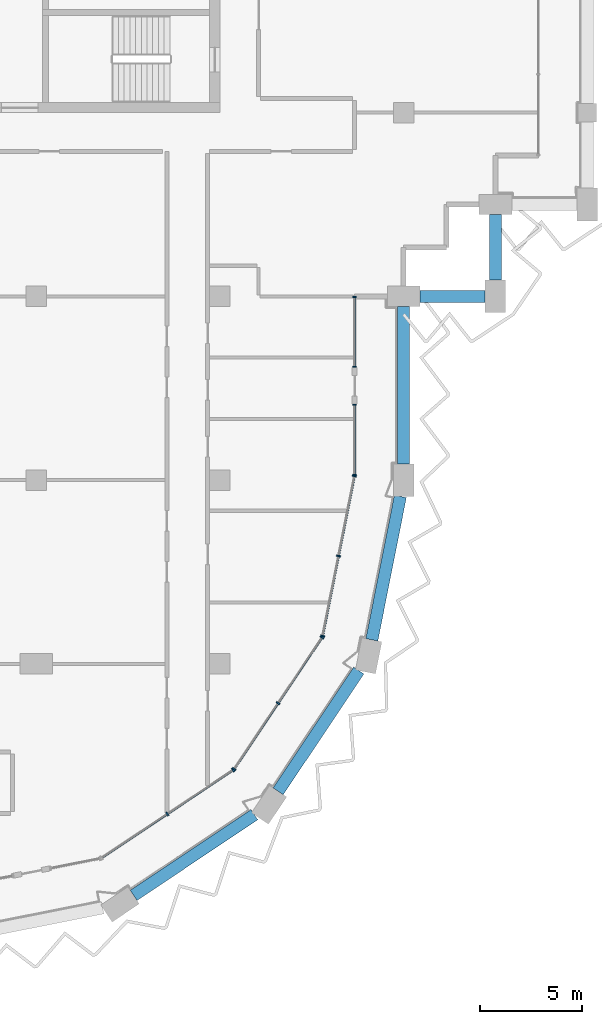
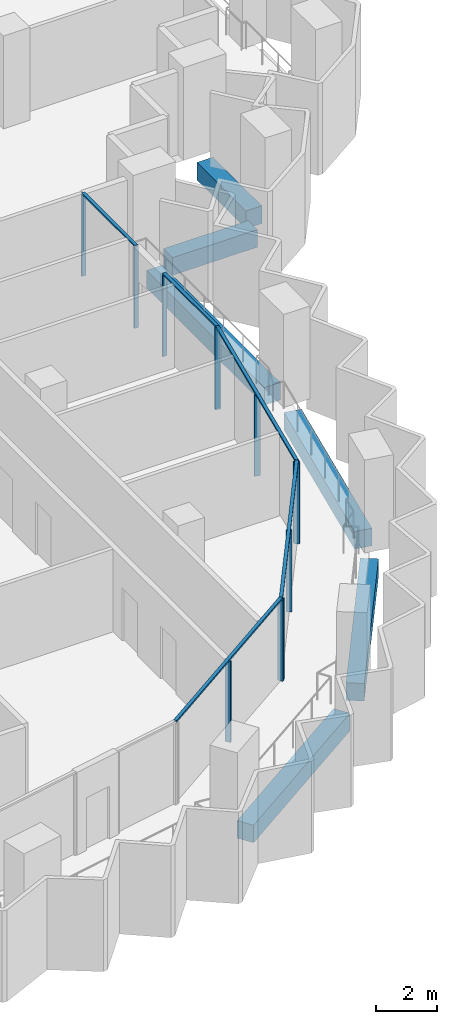
# One storey, part 3 of 16: 17 members, 6 beams, 5 elements without a shape of their own.
"""IFC4 building model written with IfcOpenShell, lengths in metres."""

from ifc_helpers import new_model, si_unit, direction, frame, origin, origin_2d, place, context, subcontext, project, spatial, rectangle, extrude, material, material_profile, profile_set, type_object, element, aggregate, save


model = new_model("IFC4")

# Units and contexts
model_context = context("Model", 3, precision=1e-05, world=origin(), true_north=direction((0.0, 1.0)))
body_context = subcontext(model_context, "Body", "Model", "MODEL_VIEW")
ifc_project = project(units=[si_unit("LENGTHUNIT", "METRE"), si_unit("AREAUNIT", "SQUARE_METRE"), si_unit("VOLUMEUNIT", "CUBIC_METRE"), si_unit("PLANEANGLEUNIT", "RADIAN"), si_unit("MASSUNIT", "GRAM", prefix="KILO")], contexts=[model_context])

# Site, building, storey
site_placement = place(None, origin())
site = spatial("IfcSite", under=ifc_project, at=site_placement, CompositionType="ELEMENT")
building_placement = place(site_placement, origin())
building = spatial("IfcBuilding", under=site, at=building_placement, Name="Hunhe Ridgeline Campus", CompositionType="ELEMENT")
storey_placement = place(building_placement, frame((0.0, 0.0, 257.699951171875)))
storey = spatial("IfcBuildingStorey", under=building, at=storey_placement, Name="L66", CompositionType="ELEMENT", Elevation=257.699951171875)

# Curtain wall, members
ifc_material_1 = material(Name="Aluminium 6063", Category="aluminium")
curtain_wall_type_1 = type_object("IfcCurtainWallType", Name="Curtain wall CW-1", PredefinedType="NOTDEFINED", material=ifc_material_1)
curtain_wall_1_placement = place(storey_placement, origin())
curtain_wall_1 = element("IfcCurtainWall", 1, at=curtain_wall_1_placement, inside=storey, type_object=curtain_wall_type_1, Name="Curtain wall 11", PredefinedType="NOTDEFINED")
ifc_material_profile_1 = material_profile(ifc_material_1, rectangle(XDim=0.159912109375, YDim=0.06005859375, at=origin_2d()))
ifc_profile_set_1 = profile_set([ifc_material_profile_1], Name="Aluminium 6063")
member_type_1 = type_object("IfcMemberType", Name="CW-1 aluminium mullion", PredefinedType="MULLION", material=ifc_profile_set_1)
member_1_placement = place(storey_placement, frame((42.59912109375, 45.266357421875, 0.0), z_axis=(0.0, 0.0, 1.0), x_axis=(-0.999999999815, 1.9241592e-05, 0.0)))
member_1 = element("IfcMember", 2, at=member_1_placement, type_object=member_type_1, Name="CW-1 mullion 1", PredefinedType="MULLION", context=body_context, shape_type="SweptSolid", body=[
    extrude(rectangle(XDim=0.159912109375, YDim=0.06005859375, at=origin_2d()), origin(), (0.0, 0.0, 1.0), 3.239990234375),
])
member_2_placement = place(storey_placement, frame((42.59912109375, 48.6884765625, 0.0), z_axis=(0.0, 0.0, 1.0), x_axis=(-0.999999999815, 1.9241592e-05, 0.0)))
member_2 = element("IfcMember", 3, at=member_2_placement, type_object=member_type_1, Name="CW-1 mullion 2", PredefinedType="MULLION", context=body_context, shape_type="SweptSolid", body=[
    extrude(rectangle(XDim=0.159912109375, YDim=0.06005859375, at=origin_2d()), origin(), (0.0, 0.0, 1.0), 3.239990234375),
])

curtain_wall_2_placement = place(storey_placement, origin())
curtain_wall_2 = element("IfcCurtainWall", 4, at=curtain_wall_2_placement, inside=storey, type_object=curtain_wall_type_1, Name="Curtain wall 12", PredefinedType="NOTDEFINED")
member_3_placement = place(storey_placement, frame((42.59912109375, 50.548583984375, 0.0), z_axis=(0.0, 0.0, 1.0), x_axis=(-0.999999999815, 1.9241592e-05, 0.0)))
member_3 = element("IfcMember", 5, at=member_3_placement, type_object=member_type_1, Name="CW-1 mullion 1", PredefinedType="MULLION", context=body_context, shape_type="SweptSolid", body=[
    extrude(rectangle(XDim=0.159912109375, YDim=0.06005859375, at=origin_2d()), origin(), (0.0, 0.0, 1.0), 3.239990234375),
])
member_4_placement = place(storey_placement, frame((42.59912109375, 53.970458984375, 0.0), z_axis=(0.0, 0.0, 1.0), x_axis=(-0.999999999815, 1.9241592e-05, 0.0)))
member_4 = element("IfcMember", 6, at=member_4_placement, type_object=member_type_1, Name="CW-1 mullion 2", PredefinedType="MULLION", context=body_context, shape_type="SweptSolid", body=[
    extrude(rectangle(XDim=0.159912109375, YDim=0.06005859375, at=origin_2d()), origin(), (0.0, 0.0, 1.0), 3.239990234375),
])

# Member
ifc_material_profile_2 = material_profile(ifc_material_1, rectangle(XDim=0.1201171875, YDim=0.06005859375, at=origin_2d()))
ifc_profile_set_2 = profile_set([ifc_material_profile_2], Name="Aluminium 6063")
member_type_2 = type_object("IfcMemberType", Name="CW-1 aluminium transom", PredefinedType="USERDEFINED", material=ifc_profile_set_2)
member_5_placement = place(storey_placement, frame((42.59912109375, 45.236572265625, 3.27001953125), z_axis=(0.0, 1.0, 0.0), x_axis=(-1.0, 0.0, 0.0)))
member_5 = element("IfcMember", 7, at=member_5_placement, type_object=member_type_2, Name="CW-1 transom 1", ObjectType="TRANSOM", PredefinedType="USERDEFINED", context=body_context, shape_type="SweptSolid", body=[
    extrude(rectangle(XDim=0.1201171875, YDim=0.06005859375, at=origin_2d()), origin(), (0.0, 0.0, 1.0), 3.48193359375),
])

aggregate(curtain_wall_1, [member_5, member_1, member_2])

member_6_placement = place(storey_placement, frame((42.59912109375, 50.5185546875, 3.27001953125), z_axis=(0.0, 1.0, 0.0), x_axis=(-1.0, 0.0, 0.0)))
member_6 = element("IfcMember", 8, at=member_6_placement, type_object=member_type_2, Name="CW-1 transom 1", ObjectType="TRANSOM", PredefinedType="USERDEFINED", context=body_context, shape_type="SweptSolid", body=[
    extrude(rectangle(XDim=0.1201171875, YDim=0.06005859375, at=origin_2d()), origin(), (0.0, 0.0, 1.0), 3.48193359375),
])

aggregate(curtain_wall_2, [member_6, member_3, member_4])

# Curtain wall, members
curtain_wall_type_2 = type_object("IfcCurtainWallType", Name="Curtain wall CW-5", PredefinedType="NOTDEFINED", material=ifc_material_1)
curtain_wall_3_placement = place(storey_placement, origin())
curtain_wall_3 = element("IfcCurtainWall", 9, at=curtain_wall_3_placement, inside=storey, type_object=curtain_wall_type_2, Name="Curtain wall 08", PredefinedType="NOTDEFINED")
ifc_material_profile_3 = material_profile(ifc_material_1, rectangle(XDim=0.199951171875, YDim=0.070068359375, at=origin_2d()))
ifc_profile_set_3 = profile_set([ifc_material_profile_3], Name="Aluminium 6063")
member_type_3 = type_object("IfcMemberType", Name="CW-5 aluminium mullion", PredefinedType="MULLION", material=ifc_profile_set_3)
member_7_placement = place(storey_placement, frame((33.42626953125, 28.647705078125, 0.0), z_axis=(0.0, 0.0, 1.0), x_axis=(-0.555570274596, 0.831469584522, 0.0)))
member_7 = element("IfcMember", 10, at=member_7_placement, type_object=member_type_3, Name="CW-5 mullion 2", PredefinedType="MULLION", context=body_context, shape_type="SweptSolid", body=[
    extrude(rectangle(XDim=0.199951171875, YDim=0.070068359375, at=origin_2d()), origin(), (0.0, 0.0, 1.0), 3.22998046875),
])
member_8_placement = place(storey_placement, frame((36.649658203125, 30.8017578125, 0.0), z_axis=(0.0, 0.0, 1.0), x_axis=(-0.555570274596, 0.831469584522, 0.0)))
member_8 = element("IfcMember", 11, at=member_8_placement, type_object=member_type_3, Name="CW-5 mullion 3", PredefinedType="MULLION", context=body_context, shape_type="SweptSolid", body=[
    extrude(rectangle(XDim=0.199951171875, YDim=0.070068359375, at=origin_2d()), origin(), (0.0, 0.0, 1.0), 3.22998046875),
])

curtain_wall_4_placement = place(storey_placement, origin())
curtain_wall_4 = element("IfcCurtainWall", 12, at=curtain_wall_4_placement, inside=storey, type_object=curtain_wall_type_2, Name="Curtain wall 09", PredefinedType="NOTDEFINED")
member_9_placement = place(storey_placement, frame((36.6982421875, 30.850341796875, 0.0), z_axis=(0.0, 0.0, 1.0), x_axis=(-0.831469584522, 0.555570274596, 0.0)))
member_9 = element("IfcMember", 13, at=member_9_placement, type_object=member_type_3, Name="CW-5 mullion 1", PredefinedType="MULLION", context=body_context, shape_type="SweptSolid", body=[
    extrude(rectangle(XDim=0.199951171875, YDim=0.070068359375, at=origin_2d()), origin(), (0.0, 0.0, 1.0), 3.22998046875),
])
member_10_placement = place(storey_placement, frame((38.852294921875, 34.07373046875, 0.0), z_axis=(0.0, 0.0, 1.0), x_axis=(-0.831469584522, 0.555570274596, 0.0)))
member_10 = element("IfcMember", 14, at=member_10_placement, type_object=member_type_3, Name="CW-5 mullion 2", PredefinedType="MULLION", context=body_context, shape_type="SweptSolid", body=[
    extrude(rectangle(XDim=0.199951171875, YDim=0.070068359375, at=origin_2d()), origin(), (0.0, 0.0, 1.0), 3.22998046875),
])
member_11_placement = place(storey_placement, frame((41.006103515625, 37.29736328125, 0.0), z_axis=(0.0, 0.0, 1.0), x_axis=(-0.831469584522, 0.555570274596, 0.0)))
member_11 = element("IfcMember", 15, at=member_11_placement, type_object=member_type_3, Name="CW-5 mullion 3", PredefinedType="MULLION", context=body_context, shape_type="SweptSolid", body=[
    extrude(rectangle(XDim=0.199951171875, YDim=0.070068359375, at=origin_2d()), origin(), (0.0, 0.0, 1.0), 3.22998046875),
])

curtain_wall_5_placement = place(storey_placement, origin())
curtain_wall_5 = element("IfcCurtainWall", 16, at=curtain_wall_5_placement, inside=storey, type_object=curtain_wall_type_2, Name="Curtain wall 10", PredefinedType="NOTDEFINED")
member_12_placement = place(storey_placement, frame((41.032470703125, 37.36083984375, 0.0), z_axis=(0.0, 0.0, 1.0), x_axis=(-0.980785284939, 0.195090299215, 0.0)))
member_12 = element("IfcMember", 17, at=member_12_placement, type_object=member_type_3, Name="CW-5 mullion 1", PredefinedType="MULLION", context=body_context, shape_type="SweptSolid", body=[
    extrude(rectangle(XDim=0.199951171875, YDim=0.070068359375, at=origin_2d()), origin(), (0.0, 0.0, 1.0), 3.22998046875),
])
member_13_placement = place(storey_placement, frame((41.812255859375, 41.281494140625, 0.0), z_axis=(0.0, 0.0, 1.0), x_axis=(-0.980785284939, 0.195090299215, 0.0)))
member_13 = element("IfcMember", 18, at=member_13_placement, type_object=member_type_3, Name="CW-5 mullion 2", PredefinedType="MULLION", context=body_context, shape_type="SweptSolid", body=[
    extrude(rectangle(XDim=0.199951171875, YDim=0.070068359375, at=origin_2d()), origin(), (0.0, 0.0, 1.0), 3.22998046875),
])
member_14_placement = place(storey_placement, frame((42.59228515625, 45.2021484375, 0.0), z_axis=(0.0, 0.0, 1.0), x_axis=(-0.980785284939, 0.195090299215, 0.0)))
member_14 = element("IfcMember", 19, at=member_14_placement, type_object=member_type_3, Name="CW-5 mullion 3", PredefinedType="MULLION", context=body_context, shape_type="SweptSolid", body=[
    extrude(rectangle(XDim=0.199951171875, YDim=0.070068359375, at=origin_2d()), origin(), (0.0, 0.0, 1.0), 3.22998046875),
])

# Member
ifc_material_profile_4 = material_profile(ifc_material_1, rectangle(XDim=0.1201171875, YDim=0.070068359375, at=origin_2d()))
ifc_profile_set_4 = profile_set([ifc_material_profile_4], Name="Aluminium 6063")
member_type_4 = type_object("IfcMemberType", Name="CW-5 aluminium transom", PredefinedType="USERDEFINED", material=ifc_profile_set_4)
member_15_placement = place(storey_placement, frame((30.173583984375, 26.474365234375, 3.26513671875), z_axis=(0.831473763475, 0.5555640203, 0.0), x_axis=(-0.5555640203, 0.831473763475, 0.0)))
member_15 = element("IfcMember", 20, at=member_15_placement, type_object=member_type_4, Name="CW-5 transom 1", ObjectType="TRANSOM", PredefinedType="USERDEFINED", context=body_context, shape_type="SweptSolid", body=[
    extrude(rectangle(XDim=0.1201171875, YDim=0.070068359375, at=origin_2d()), origin(), (0.0, 0.0, 1.0), 7.823974609375),
])

aggregate(curtain_wall_3, [member_15, member_7, member_8])

member_16_placement = place(storey_placement, frame((36.678955078125, 30.821044921875, 3.26513671875), z_axis=(0.5555640203, 0.831473763475, 0.0), x_axis=(-0.831473763475, 0.5555640203, 0.0)))
member_16 = element("IfcMember", 21, at=member_16_placement, type_object=member_type_4, Name="CW-5 transom 1", ObjectType="TRANSOM", PredefinedType="USERDEFINED", context=body_context, shape_type="SweptSolid", body=[
    extrude(rectangle(XDim=0.1201171875, YDim=0.070068359375, at=origin_2d()), origin(), (0.0, 0.0, 1.0), 7.823974609375),
])

aggregate(curtain_wall_4, [member_16, member_9, member_10, member_11])

member_17_placement = place(storey_placement, frame((41.025634765625, 37.326416015625, 3.26513671875), z_axis=(0.195097290093, 0.980783894341, 0.0), x_axis=(-0.980783894341, 0.195097290093, 0.0)))
member_17 = element("IfcMember", 22, at=member_17_placement, type_object=member_type_4, Name="CW-5 transom 1", ObjectType="TRANSOM", PredefinedType="USERDEFINED", context=body_context, shape_type="SweptSolid", body=[
    extrude(rectangle(XDim=0.1201171875, YDim=0.070068359375, at=origin_2d()), origin(), (0.0, 0.0, 1.0), 8.065185546875),
])

aggregate(curtain_wall_5, [member_17, member_12, member_13, member_14])

# Beams
ifc_material_2 = material(Name="Concrete C50", Category="concrete")
ifc_material_profile_5 = material_profile(ifc_material_2, rectangle(XDim=0.60009765625, YDim=0.699951171875, at=origin_2d()))
ifc_profile_set_5 = profile_set([ifc_material_profile_5], Name="Concrete C50")
beam_type = type_object("IfcBeamType", Name="RC spandrel beam 600x700 Concrete C50", PredefinedType="SPANDREL", material=ifc_profile_set_5)
for number, where, z_axis, x_axis, name in (
    (23, (31.775634765625, 24.6572265625, -0.599853515625), (0.831463706344, 0.55557907181, 0.0), (-0.55557907181, 0.831463706344, 0.0), "Spandrel beam B4-6 L66"),
    (24, (38.854248046875, 29.75537109375, -0.599853515625), (0.55557907181, 0.831463706344, 0.0), (-0.831463706344, 0.55557907181, 0.0), "Spandrel beam B4-7 L66"),
):
    element("IfcBeam", number, at=place(storey_placement, frame(where, z_axis=z_axis, x_axis=x_axis)), inside=storey, type_object=beam_type, Name=name, PredefinedType="SPANDREL", context=body_context, shape_type="SweptSolid", body=[
        extrude(rectangle(XDim=0.60009765625, YDim=0.699951171875, at=origin_2d()), origin(), (0.0, 0.0, 1.0), 7.113037109375),
    ])
beam_1_placement = place(storey_placement, frame((43.443359375, 37.17431640625, -0.599853515625), z_axis=(0.195087004291, 0.980785940334, 0.0), x_axis=(-0.980785940334, 0.195087004291, 0.0)))
element("IfcBeam", 25, at=beam_1_placement, inside=storey, type_object=beam_type, Name="Spandrel beam B4-8 L66", PredefinedType="SPANDREL", context=body_context, shape_type="SweptSolid", body=[
    extrude(rectangle(XDim=0.60009765625, YDim=0.699951171875, at=origin_2d()), origin(), (0.0, 0.0, 1.0), 7.163330078125),
])
beam_2_placement = place(storey_placement, frame((45.0, 45.800048828125, -0.599853515625), z_axis=(0.0, 1.0, 0.0), x_axis=(-1.0, 0.0, 0.0)))
element("IfcBeam", 26, at=beam_2_placement, inside=storey, type_object=beam_type, Name="Spandrel beam B4-9 L66", PredefinedType="SPANDREL", context=body_context, shape_type="SweptSolid", body=[
    extrude(rectangle(XDim=0.60009765625, YDim=0.699951171875, at=origin_2d()), origin(), (0.0, 0.0, 1.0), 7.699951171875),
])
for number, where, z_axis, x_axis, name in (
    (27, (45.800048828125, 54.0, -0.599853515625), (1.0, 0.0, 0.0), (0.0, 1.0, 0.0), "Spandrel beam B4-10 L66"),
    (28, (49.5, 54.800048828125, -0.599853515625), (0.0, 1.0, 0.0), (-1.0, 0.0, 0.0), "Spandrel beam B4-11 L66"),
):
    element("IfcBeam", number, at=place(storey_placement, frame(where, z_axis=z_axis, x_axis=x_axis)), inside=storey, type_object=beam_type, Name=name, PredefinedType="SPANDREL", context=body_context, shape_type="SweptSolid", body=[
        extrude(rectangle(XDim=0.60009765625, YDim=0.699951171875, at=origin_2d()), origin(), (0.0, 0.0, 1.0), 3.199951171875),
    ])

save(model, "model.ifc")
